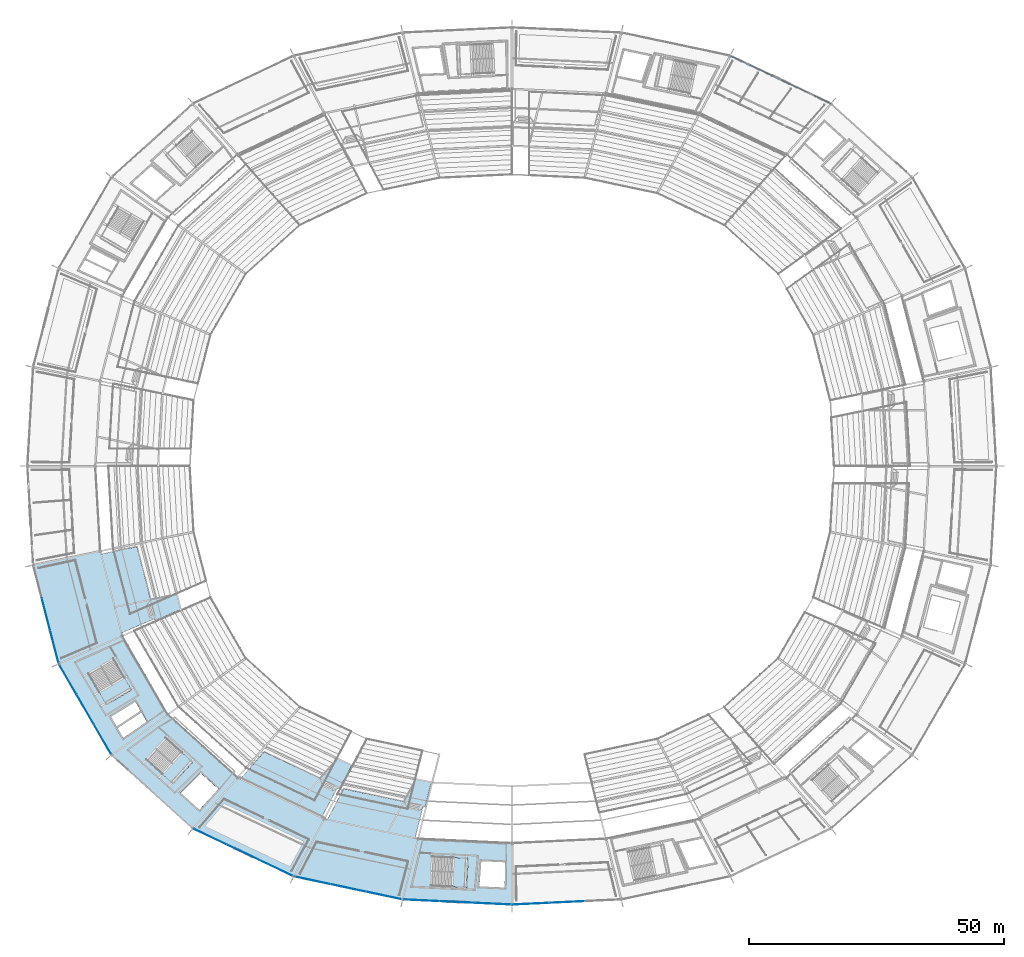
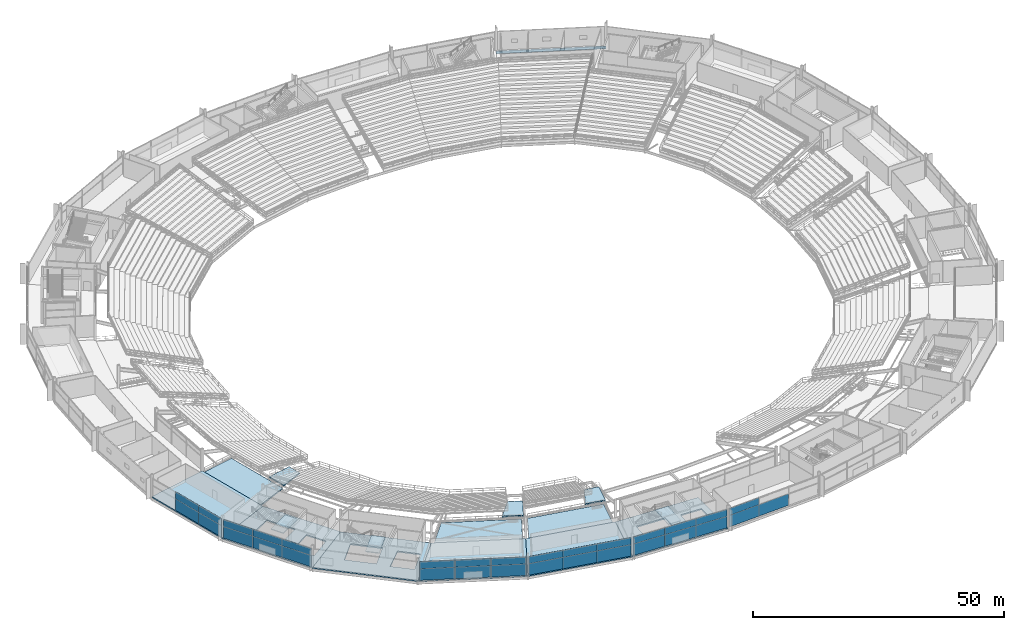
# One storey, part 120 of 186: 31 plates, 15 slabs, 1 beam, 9 elements without a shape of their own.
"""IFC4 building model written with IfcOpenShell, lengths in metres."""

from ifc_helpers import new_model, si_unit, direction, frame, origin, origin_2d, place, context, subcontext, project, spatial, polyline, rectangle, i_section, outline, extrude, material, layer, layer_set, material_profile, profile_set, type_object, element, aggregate, save


model = new_model("IFC4")

# Units and contexts
model_context = context("Model", 3, precision=1e-05, world=origin(), true_north=direction((0.0, 1.0)))
body_context = subcontext(model_context, "Body", "Model", "MODEL_VIEW")
ifc_project = project(units=[si_unit("LENGTHUNIT", "METRE"), si_unit("AREAUNIT", "SQUARE_METRE"), si_unit("VOLUMEUNIT", "CUBIC_METRE"), si_unit("PLANEANGLEUNIT", "RADIAN"), si_unit("MASSUNIT", "GRAM", prefix="KILO")], contexts=[model_context])

# Site, building, storey
site_placement = place(None, origin())
site = spatial("IfcSite", under=ifc_project, at=site_placement, CompositionType="ELEMENT")
building_placement = place(site_placement, origin())
building = spatial("IfcBuilding", under=site, at=building_placement, Name="Kazemori Nagisa Stadium", CompositionType="ELEMENT")
storey_placement = place(building_placement, frame((0.0, 0.0, 20.39990234375)))
storey = spatial("IfcBuildingStorey", under=building, at=storey_placement, Name="L04", CompositionType="ELEMENT", Elevation=20.39990234375)

# Beam
ifc_material_1 = material(Name="Steel SN490B", Category="steel")
ifc_material_profile = material_profile(ifc_material_1, i_section(OverallWidth=0.199951171875, OverallDepth=0.60009765625, WebThickness=0.010986328125, FlangeThickness=0.01708984375, FilletRadius=0.012939453125, at=origin_2d()), Name="H-600x200x11x17")
ifc_profile_set = profile_set([ifc_material_profile], Name="Steel SN490B")
beam_type = type_object("IfcBeamType", Name="Beam_BS-H600", PredefinedType="SPANDREL", material=ifc_profile_set)
beam_placement = place(storey_placement, frame((185.597900390625, 173.05908203125, -0.599853515625), z_axis=(-0.903215644095, 0.429187022475, 0.0), x_axis=(-0.429187022475, -0.903215644095, 0.0)))
element("IfcBeam", 1, at=beam_placement, inside=storey, type_object=beam_type, Name="Ring girder BS-H600 L04 R3-05", PredefinedType="SPANDREL", context=body_context, shape_type="SweptSolid", body=[
    extrude(i_section(OverallWidth=0.199951171875, OverallDepth=0.60009765625, WebThickness=0.010986328125, FlangeThickness=0.01708984375, FilletRadius=0.012939453125, at=origin_2d()), origin(), (0.0, 0.0, 1.0), 21.9140625),
])

# Curtain wall, plates
ifc_material_2 = material(Name="Anodised aluminium 6063-T5", Category="aluminium")
ifc_layer_1 = layer(ifc_material_2, 0.179931640625, Name="Anodised aluminium 6063-T5", Category="aluminium")
ifc_layer_set_1 = layer_set([ifc_layer_1], Name="Anodised aluminium 6063-T5")
curtain_wall_type_1 = type_object("IfcCurtainWallType", Name="CW_L04R3_101", PredefinedType="USERDEFINED", material=ifc_layer_set_1)
curtain_wall_1_placement = place(storey_placement, origin())
curtain_wall_1 = element("IfcCurtainWall", 2, at=curtain_wall_1_placement, inside=storey, type_object=curtain_wall_type_1, Name="Unitised curtain wall CW-L04R3-101 L04", ObjectType="UNITISED CURTAIN WALL", PredefinedType="USERDEFINED")
ifc_material_3 = material(Name="Anodised aluminium spandrel sheet", Category="aluminium")
ifc_layer_2 = layer(ifc_material_3, 0.0458984375, Name="Anodised aluminium spandrel sheet", Category="aluminium")
ifc_layer_set_2 = layer_set([ifc_layer_2], Name="Anodised aluminium spandrel sheet")
plate_type_1 = type_object("IfcPlateType", Name="CWPanel_SPN_L04R3_101", PredefinedType="CURTAIN_PANEL", material=ifc_layer_set_2)
plate_1_placement = place(storey_placement, frame((35.931884765625, 60.116943359375, 2.80859375), z_axis=(0.0, 0.0, 1.0), x_axis=(0.501611590054, -0.865092950337, 0.0)))
plate_1 = element("IfcPlate", 3, at=plate_1_placement, type_object=plate_type_1, Name="Curtain wall spandrel panel CW-L04R3-101-S1", PredefinedType="CURTAIN_PANEL", context=body_context, shape_type="SweptSolid", body=[
    extrude(rectangle(XDim=6.7099609375, YDim=0.0458984375, at=origin_2d()), origin(), (0.0, 0.0, 1.0), 1.721435546875),
])
plate_2_placement = place(storey_placement, frame((39.309814453125, 54.29150390625, 2.80859375), z_axis=(0.0, 0.0, 1.0), x_axis=(0.501611590054, -0.865092950337, 0.0)))
plate_2 = element("IfcPlate", 4, at=plate_2_placement, type_object=plate_type_1, Name="Curtain wall spandrel panel CW-L04R3-101-S2", PredefinedType="CURTAIN_PANEL", context=body_context, shape_type="SweptSolid", body=[
    extrude(rectangle(XDim=6.7099609375, YDim=0.0458984375, at=origin_2d()), origin(), (0.0, 0.0, 1.0), 1.721435546875),
])
plate_3_placement = place(storey_placement, frame((42.687744140625, 48.4658203125, 2.80859375), z_axis=(0.0, 0.0, 1.0), x_axis=(0.501611590054, -0.865092950337, 0.0)))
plate_3 = element("IfcPlate", 5, at=plate_3_placement, type_object=plate_type_1, Name="Curtain wall spandrel panel CW-L04R3-101-S3", PredefinedType="CURTAIN_PANEL", context=body_context, shape_type="SweptSolid", body=[
    extrude(rectangle(XDim=6.7099609375, YDim=0.0458984375, at=origin_2d()), origin(), (0.0, 0.0, 1.0), 1.721435546875),
])

ifc_layer_3 = layer(ifc_material_2, 0.179931640625, Name="Anodised aluminium 6063-T5", Category="aluminium")
ifc_layer_set_3 = layer_set([ifc_layer_3], Name="Anodised aluminium 6063-T5")
curtain_wall_type_2 = type_object("IfcCurtainWallType", Name="CW_L04R3_105", PredefinedType="USERDEFINED", material=ifc_layer_set_3)
curtain_wall_2_placement = place(storey_placement, origin())
curtain_wall_2 = element("IfcCurtainWall", 6, at=curtain_wall_2_placement, inside=storey, type_object=curtain_wall_type_2, Name="Unitised curtain wall CW-L04R3-105 L04", ObjectType="UNITISED CURTAIN WALL", PredefinedType="USERDEFINED")
ifc_layer_4 = layer(ifc_material_3, 0.0458984375, Name="Anodised aluminium spandrel sheet", Category="aluminium")
ifc_layer_set_4 = layer_set([ifc_layer_4], Name="Anodised aluminium spandrel sheet")
plate_type_2 = type_object("IfcPlateType", Name="CWPanel_SPN_L04R3_105", PredefinedType="CURTAIN_PANEL", material=ifc_layer_set_4)
plate_4_placement = place(storey_placement, frame((105.3134765625, 16.836181640625, 2.80859375), z_axis=(0.0, 0.0, 1.0), x_axis=(0.998884022476, -0.047230388971, 0.0)))
plate_4 = element("IfcPlate", 7, at=plate_4_placement, type_object=plate_type_2, Name="Curtain wall spandrel panel CW-L04R3-105-S1", PredefinedType="CURTAIN_PANEL", context=body_context, shape_type="SweptSolid", body=[
    extrude(rectangle(XDim=6.956787109375, YDim=0.0458984375, at=origin_2d()), origin(), (0.0, 0.0, 1.0), 1.721435546875),
])
plate_5_placement = place(storey_placement, frame((112.2861328125, 16.506591796875, 2.80859375), z_axis=(0.0, 0.0, 1.0), x_axis=(0.998884022476, -0.047230388971, 0.0)))
plate_5 = element("IfcPlate", 8, at=plate_5_placement, type_object=plate_type_2, Name="Curtain wall spandrel panel CW-L04R3-105-S2", PredefinedType="CURTAIN_PANEL", context=body_context, shape_type="SweptSolid", body=[
    extrude(rectangle(XDim=6.956787109375, YDim=0.0458984375, at=origin_2d()), origin(), (0.0, 0.0, 1.0), 1.721435546875),
])
plate_6_placement = place(storey_placement, frame((119.2587890625, 16.177001953125, 2.80859375), z_axis=(0.0, 0.0, 1.0), x_axis=(0.998884022476, -0.047230388971, 0.0)))
plate_6 = element("IfcPlate", 9, at=plate_6_placement, type_object=plate_type_2, Name="Curtain wall spandrel panel CW-L04R3-105-S3", PredefinedType="CURTAIN_PANEL", context=body_context, shape_type="SweptSolid", body=[
    extrude(rectangle(XDim=6.956787109375, YDim=0.0458984375, at=origin_2d()), origin(), (0.0, 0.0, 1.0), 1.721435546875),
])

# Curtain wall, plate
curtain_wall_3_placement = place(storey_placement, origin())
curtain_wall_3 = element("IfcCurtainWall", 10, at=curtain_wall_3_placement, inside=storey, type_object=curtain_wall_type_2, Name="Unitised curtain wall CW-L04R3-105 L04", ObjectType="UNITISED CURTAIN WALL", PredefinedType="USERDEFINED")
plate_7_placement = place(storey_placement, frame((126.7412109375, 16.177001953125, 2.80859375), z_axis=(0.0, 0.0, 1.0), x_axis=(0.998884022476, 0.047230388971, 0.0)))
plate_7 = element("IfcPlate", 11, at=plate_7_placement, type_object=plate_type_2, Name="Curtain wall spandrel panel CW-L04R3-105-S1", PredefinedType="CURTAIN_PANEL", context=body_context, shape_type="SweptSolid", body=[
    extrude(rectangle(XDim=6.956787109375, YDim=0.0458984375, at=origin_2d()), origin(), (0.0, 0.0, 1.0), 1.721435546875),
])

# Curtain wall, plates
ifc_layer_5 = layer(ifc_material_2, 0.179931640625, Name="Anodised aluminium 6063-T5", Category="aluminium")
ifc_layer_set_5 = layer_set([ifc_layer_5], Name="Anodised aluminium 6063-T5")
curtain_wall_type_3 = type_object("IfcCurtainWallType", Name="CW_L04R3_107", PredefinedType="USERDEFINED", material=ifc_layer_set_5)
curtain_wall_4_placement = place(storey_placement, origin())
curtain_wall_4 = element("IfcCurtainWall", 12, at=curtain_wall_4_placement, inside=storey, type_object=curtain_wall_type_3, Name="Unitised curtain wall CW-L04R3-107 L04", ObjectType="UNITISED CURTAIN WALL", PredefinedType="USERDEFINED")
ifc_layer_6 = layer(ifc_material_3, 0.0458984375, Name="Anodised aluminium spandrel sheet", Category="aluminium")
ifc_layer_set_6 = layer_set([ifc_layer_6], Name="Anodised aluminium spandrel sheet")
plate_type_3 = type_object("IfcPlateType", Name="CWPanel_SPN_L04R3_107", PredefinedType="CURTAIN_PANEL", material=ifc_layer_set_6)
plate_8_placement = place(storey_placement, frame((63.8544921875, 29.300537109375, 2.80859375), z_axis=(0.0, 0.0, 1.0), x_axis=(0.903215892654, -0.429186499388, 0.0)))
plate_8 = element("IfcPlate", 13, at=plate_8_placement, type_object=plate_type_3, Name="Curtain wall spandrel panel CW-L04R3-107-S1", PredefinedType="CURTAIN_PANEL", context=body_context, shape_type="SweptSolid", body=[
    extrude(rectangle(XDim=7.110595703125, YDim=0.0458984375, at=origin_2d()), origin(), (0.0, 0.0, 1.0), 1.721435546875),
])
plate_9_placement = place(storey_placement, frame((70.298583984375, 26.23828125, 2.80859375), z_axis=(0.0, 0.0, 1.0), x_axis=(0.903215892654, -0.429186499388, 0.0)))
plate_9 = element("IfcPlate", 14, at=plate_9_placement, type_object=plate_type_3, Name="Curtain wall spandrel panel CW-L04R3-107-S2", PredefinedType="CURTAIN_PANEL", context=body_context, shape_type="SweptSolid", body=[
    extrude(rectangle(XDim=7.110595703125, YDim=0.0458984375, at=origin_2d()), origin(), (0.0, 0.0, 1.0), 1.721435546875),
])
plate_10_placement = place(storey_placement, frame((76.742919921875, 23.17626953125, 2.80859375), z_axis=(0.0, 0.0, 1.0), x_axis=(0.903215892654, -0.429186499388, 0.0)))
plate_10 = element("IfcPlate", 15, at=plate_10_placement, type_object=plate_type_3, Name="Curtain wall spandrel panel CW-L04R3-107-S3", PredefinedType="CURTAIN_PANEL", context=body_context, shape_type="SweptSolid", body=[
    extrude(rectangle(XDim=7.110595703125, YDim=0.0458984375, at=origin_2d()), origin(), (0.0, 0.0, 1.0), 1.721435546875),
])

curtain_wall_5_placement = place(storey_placement, origin())
curtain_wall_5 = element("IfcCurtainWall", 16, at=curtain_wall_5_placement, inside=storey, type_object=curtain_wall_type_3, Name="Unitised curtain wall CW-L04R3-107 L04", ObjectType="UNITISED CURTAIN WALL", PredefinedType="USERDEFINED")
plate_11_placement = place(storey_placement, frame((83.92431640625, 20.746826171875, 2.80859375), z_axis=(0.0, 0.0, 1.0), x_axis=(0.978344955407, -0.206981033502, 0.0)))
plate_11 = element("IfcPlate", 17, at=plate_11_placement, type_object=plate_type_3, Name="Curtain wall spandrel panel CW-L04R3-107-S1", PredefinedType="CURTAIN_PANEL", context=body_context, shape_type="SweptSolid", body=[
    extrude(rectangle(XDim=7.08935546875, YDim=0.0458984375, at=origin_2d()), origin(), (0.0, 0.0, 1.0), 1.721435546875),
])
plate_12_placement = place(storey_placement, frame((90.8837890625, 19.2744140625, 2.80859375), z_axis=(0.0, 0.0, 1.0), x_axis=(0.978344955407, -0.206981033502, 0.0)))
plate_12 = element("IfcPlate", 18, at=plate_12_placement, type_object=plate_type_3, Name="Curtain wall spandrel panel CW-L04R3-107-S2", PredefinedType="CURTAIN_PANEL", context=body_context, shape_type="SweptSolid", body=[
    extrude(rectangle(XDim=7.08935546875, YDim=0.0458984375, at=origin_2d()), origin(), (0.0, 0.0, 1.0), 1.721435546875),
])
plate_13_placement = place(storey_placement, frame((97.84326171875, 17.802001953125, 2.80859375), z_axis=(0.0, 0.0, 1.0), x_axis=(0.978344955407, -0.206981033502, 0.0)))
plate_13 = element("IfcPlate", 19, at=plate_13_placement, type_object=plate_type_3, Name="Curtain wall spandrel panel CW-L04R3-107-S3", PredefinedType="CURTAIN_PANEL", context=body_context, shape_type="SweptSolid", body=[
    extrude(rectangle(XDim=7.08935546875, YDim=0.0458984375, at=origin_2d()), origin(), (0.0, 0.0, 1.0), 1.721435546875),
])

ifc_layer_7 = layer(ifc_material_2, 0.179931640625, Name="Anodised aluminium 6063-T5", Category="aluminium")
ifc_layer_set_7 = layer_set([ifc_layer_7], Name="Anodised aluminium 6063-T5")
curtain_wall_type_4 = type_object("IfcCurtainWallType", Name="CW_L04R3_98", PredefinedType="USERDEFINED", material=ifc_layer_set_7)
curtain_wall_6_placement = place(storey_placement, origin())
curtain_wall_6 = element("IfcCurtainWall", 20, at=curtain_wall_6_placement, inside=storey, type_object=curtain_wall_type_4, Name="Unitised curtain wall CW-L04R3-98 L04", ObjectType="UNITISED CURTAIN WALL", PredefinedType="USERDEFINED")
ifc_layer_8 = layer(ifc_material_3, 0.0458984375, Name="Anodised aluminium spandrel sheet", Category="aluminium")
ifc_layer_set_8 = layer_set([ifc_layer_8], Name="Anodised aluminium spandrel sheet")
plate_type_4 = type_object("IfcPlateType", Name="CWPanel_SPN_L04R3_98", PredefinedType="CURTAIN_PANEL", material=ifc_layer_set_8)
plate_14_placement = place(storey_placement, frame((31.6171875, 72.92626953125, 2.80859375), z_axis=(0.0, 0.0, 1.0), x_axis=(0.249964642418, -0.968254965152, 0.0)))
plate_14 = element("IfcPlate", 21, at=plate_14_placement, type_object=plate_type_4, Name="Curtain wall spandrel panel CW-L04R3-98-S2", PredefinedType="CURTAIN_PANEL", context=body_context, shape_type="SweptSolid", body=[
    extrude(rectangle(XDim=6.468017578125, YDim=0.0458984375, at=origin_2d()), origin(), (0.0, 0.0, 1.0), 1.721435546875),
])
plate_15_placement = place(storey_placement, frame((33.239990234375, 66.640380859375, 2.80859375), z_axis=(0.0, 0.0, 1.0), x_axis=(0.249964642418, -0.968254965152, 0.0)))
plate_15 = element("IfcPlate", 22, at=plate_15_placement, type_object=plate_type_4, Name="Curtain wall spandrel panel CW-L04R3-98-S3", PredefinedType="CURTAIN_PANEL", context=body_context, shape_type="SweptSolid", body=[
    extrude(rectangle(XDim=6.468017578125, YDim=0.0458984375, at=origin_2d()), origin(), (0.0, 0.0, 1.0), 1.721435546875),
])

# Plate
ifc_material_4 = material(Name="Low-e laminated double glazing", Category="glass")
ifc_layer_9 = layer(ifc_material_4, 0.029052734375, Name="Low-e laminated double glazing", Category="glass")
ifc_layer_set_9 = layer_set([ifc_layer_9], Name="Low-e laminated double glazing")
plate_type_5 = type_object("IfcPlateType", Name="CWPanel_VIS_L04R3_101", PredefinedType="CURTAIN_PANEL", material=ifc_layer_set_9)
plate_16_placement = place(storey_placement, frame((35.931884765625, 60.116943359375, 0.0), z_axis=(0.0, 0.0, 1.0), x_axis=(0.501611590054, -0.865092950337, 0.0)))
plate_16 = element("IfcPlate", 23, at=plate_16_placement, type_object=plate_type_5, Name="Curtain wall vision panel CW-L04R3-101-V1", PredefinedType="CURTAIN_PANEL", context=body_context, shape_type="SweptSolid", body=[
    extrude(rectangle(XDim=6.7099609375, YDim=0.029052734375, at=origin_2d()), origin(), (0.0, 0.0, 1.0), 2.80859375),
])

plate_17_placement = place(storey_placement, frame((39.309814453125, 54.29150390625, 0.0), z_axis=(0.0, 0.0, 1.0), x_axis=(0.501611590054, -0.865092950337, 0.0)))
plate_17 = element("IfcPlate", 24, at=plate_17_placement, type_object=plate_type_5, Name="Curtain wall vision panel CW-L04R3-101-V2", PredefinedType="CURTAIN_PANEL", context=body_context, shape_type="SweptSolid", body=[
    extrude(rectangle(XDim=6.7099609375, YDim=0.029052734375, at=origin_2d()), origin(), (0.0, 0.0, 1.0), 2.80859375),
])

plate_18_placement = place(storey_placement, frame((42.687744140625, 48.4658203125, 0.0), z_axis=(0.0, 0.0, 1.0), x_axis=(0.501611590054, -0.865092950337, 0.0)))
plate_18 = element("IfcPlate", 25, at=plate_18_placement, type_object=plate_type_5, Name="Curtain wall vision panel CW-L04R3-101-V3", PredefinedType="CURTAIN_PANEL", context=body_context, shape_type="SweptSolid", body=[
    extrude(rectangle(XDim=6.7099609375, YDim=0.029052734375, at=origin_2d()), origin(), (0.0, 0.0, 1.0), 2.80859375),
])

aggregate(curtain_wall_1, [plate_16, plate_1, plate_17, plate_2, plate_18, plate_3])

ifc_layer_10 = layer(ifc_material_4, 0.029052734375, Name="Low-e laminated double glazing", Category="glass")
ifc_layer_set_10 = layer_set([ifc_layer_10], Name="Low-e laminated double glazing")
plate_type_6 = type_object("IfcPlateType", Name="CWPanel_VIS_L04R3_105", PredefinedType="CURTAIN_PANEL", material=ifc_layer_set_10)
plate_19_placement = place(storey_placement, frame((105.3134765625, 16.836181640625, 0.0), z_axis=(0.0, 0.0, 1.0), x_axis=(0.998884022476, -0.047230388971, 0.0)))
plate_19 = element("IfcPlate", 26, at=plate_19_placement, type_object=plate_type_6, Name="Curtain wall vision panel CW-L04R3-105-V1", PredefinedType="CURTAIN_PANEL", context=body_context, shape_type="SweptSolid", body=[
    extrude(rectangle(XDim=6.956787109375, YDim=0.029052734375, at=origin_2d()), origin(), (0.0, 0.0, 1.0), 2.80859375),
])

plate_20_placement = place(storey_placement, frame((112.2861328125, 16.506591796875, 0.0), z_axis=(0.0, 0.0, 1.0), x_axis=(0.998884022476, -0.047230388971, 0.0)))
plate_20 = element("IfcPlate", 27, at=plate_20_placement, type_object=plate_type_6, Name="Curtain wall vision panel CW-L04R3-105-V2", PredefinedType="CURTAIN_PANEL", context=body_context, shape_type="SweptSolid", body=[
    extrude(rectangle(XDim=6.956787109375, YDim=0.029052734375, at=origin_2d()), origin(), (0.0, 0.0, 1.0), 2.80859375),
])

plate_21_placement = place(storey_placement, frame((119.2587890625, 16.177001953125, 0.0), z_axis=(0.0, 0.0, 1.0), x_axis=(0.998884022476, -0.047230388971, 0.0)))
plate_21 = element("IfcPlate", 28, at=plate_21_placement, type_object=plate_type_6, Name="Curtain wall vision panel CW-L04R3-105-V3", PredefinedType="CURTAIN_PANEL", context=body_context, shape_type="SweptSolid", body=[
    extrude(rectangle(XDim=6.956787109375, YDim=0.029052734375, at=origin_2d()), origin(), (0.0, 0.0, 1.0), 2.80859375),
])

aggregate(curtain_wall_2, [plate_19, plate_4, plate_20, plate_5, plate_21, plate_6])

plate_22_placement = place(storey_placement, frame((126.7412109375, 16.177001953125, 0.0), z_axis=(0.0, 0.0, 1.0), x_axis=(0.998884022476, 0.047230388971, 0.0)))
plate_22 = element("IfcPlate", 29, at=plate_22_placement, type_object=plate_type_6, Name="Curtain wall vision panel CW-L04R3-105-V1", PredefinedType="CURTAIN_PANEL", context=body_context, shape_type="SweptSolid", body=[
    extrude(rectangle(XDim=6.956787109375, YDim=0.029052734375, at=origin_2d()), origin(), (0.0, 0.0, 1.0), 2.80859375),
])

plate_23_placement = place(storey_placement, frame((133.7138671875, 16.506591796875, 0.0), z_axis=(0.0, 0.0, 1.0), x_axis=(0.998884022476, 0.047230388971, 0.0)))
plate_23 = element("IfcPlate", 30, at=plate_23_placement, type_object=plate_type_6, Name="Curtain wall vision panel CW-L04R3-105-V2", PredefinedType="CURTAIN_PANEL", context=body_context, shape_type="SweptSolid", body=[
    extrude(rectangle(XDim=6.956787109375, YDim=0.029052734375, at=origin_2d()), origin(), (0.0, 0.0, 1.0), 2.80859375),
])

aggregate(curtain_wall_3, [plate_22, plate_7, plate_23])

ifc_layer_11 = layer(ifc_material_4, 0.029052734375, Name="Low-e laminated double glazing", Category="glass")
ifc_layer_set_11 = layer_set([ifc_layer_11], Name="Low-e laminated double glazing")
plate_type_7 = type_object("IfcPlateType", Name="CWPanel_VIS_L04R3_107", PredefinedType="CURTAIN_PANEL", material=ifc_layer_set_11)
plate_24_placement = place(storey_placement, frame((63.8544921875, 29.300537109375, 0.0), z_axis=(0.0, 0.0, 1.0), x_axis=(0.903215892654, -0.429186499388, 0.0)))
plate_24 = element("IfcPlate", 31, at=plate_24_placement, type_object=plate_type_7, Name="Curtain wall vision panel CW-L04R3-107-V1", PredefinedType="CURTAIN_PANEL", context=body_context, shape_type="SweptSolid", body=[
    extrude(rectangle(XDim=7.110595703125, YDim=0.029052734375, at=origin_2d()), origin(), (0.0, 0.0, 1.0), 2.80859375),
])

plate_25_placement = place(storey_placement, frame((70.298583984375, 26.23828125, 0.0), z_axis=(0.0, 0.0, 1.0), x_axis=(0.903215892654, -0.429186499388, 0.0)))
plate_25 = element("IfcPlate", 32, at=plate_25_placement, type_object=plate_type_7, Name="Curtain wall vision panel CW-L04R3-107-V2", PredefinedType="CURTAIN_PANEL", context=body_context, shape_type="SweptSolid", body=[
    extrude(rectangle(XDim=7.110595703125, YDim=0.029052734375, at=origin_2d()), origin(), (0.0, 0.0, 1.0), 2.80859375),
])

plate_26_placement = place(storey_placement, frame((76.742919921875, 23.17626953125, 0.0), z_axis=(0.0, 0.0, 1.0), x_axis=(0.903215892654, -0.429186499388, 0.0)))
plate_26 = element("IfcPlate", 33, at=plate_26_placement, type_object=plate_type_7, Name="Curtain wall vision panel CW-L04R3-107-V3", PredefinedType="CURTAIN_PANEL", context=body_context, shape_type="SweptSolid", body=[
    extrude(rectangle(XDim=7.110595703125, YDim=0.029052734375, at=origin_2d()), origin(), (0.0, 0.0, 1.0), 2.80859375),
])

aggregate(curtain_wall_4, [plate_24, plate_8, plate_25, plate_9, plate_26, plate_10])

plate_27_placement = place(storey_placement, frame((83.92431640625, 20.746826171875, 0.0), z_axis=(0.0, 0.0, 1.0), x_axis=(0.978344955407, -0.206981033502, 0.0)))
plate_27 = element("IfcPlate", 34, at=plate_27_placement, type_object=plate_type_7, Name="Curtain wall vision panel CW-L04R3-107-V1", PredefinedType="CURTAIN_PANEL", context=body_context, shape_type="SweptSolid", body=[
    extrude(rectangle(XDim=7.08935546875, YDim=0.029052734375, at=origin_2d()), origin(), (0.0, 0.0, 1.0), 2.80859375),
])

plate_28_placement = place(storey_placement, frame((90.8837890625, 19.2744140625, 0.0), z_axis=(0.0, 0.0, 1.0), x_axis=(0.978344955407, -0.206981033502, 0.0)))
plate_28 = element("IfcPlate", 35, at=plate_28_placement, type_object=plate_type_7, Name="Curtain wall vision panel CW-L04R3-107-V2", PredefinedType="CURTAIN_PANEL", context=body_context, shape_type="SweptSolid", body=[
    extrude(rectangle(XDim=7.08935546875, YDim=0.029052734375, at=origin_2d()), origin(), (0.0, 0.0, 1.0), 2.80859375),
])

plate_29_placement = place(storey_placement, frame((97.84326171875, 17.802001953125, 0.0), z_axis=(0.0, 0.0, 1.0), x_axis=(0.978344955407, -0.206981033502, 0.0)))
plate_29 = element("IfcPlate", 36, at=plate_29_placement, type_object=plate_type_7, Name="Curtain wall vision panel CW-L04R3-107-V3", PredefinedType="CURTAIN_PANEL", context=body_context, shape_type="SweptSolid", body=[
    extrude(rectangle(XDim=7.08935546875, YDim=0.029052734375, at=origin_2d()), origin(), (0.0, 0.0, 1.0), 2.80859375),
])

aggregate(curtain_wall_5, [plate_27, plate_11, plate_28, plate_12, plate_29, plate_13])

ifc_layer_12 = layer(ifc_material_4, 0.029052734375, Name="Low-e laminated double glazing", Category="glass")
ifc_layer_set_12 = layer_set([ifc_layer_12], Name="Low-e laminated double glazing")
plate_type_8 = type_object("IfcPlateType", Name="CWPanel_VIS_L04R3_98", PredefinedType="CURTAIN_PANEL", material=ifc_layer_set_12)
plate_30_placement = place(storey_placement, frame((31.6171875, 72.92626953125, 0.0), z_axis=(0.0, 0.0, 1.0), x_axis=(0.249964642418, -0.968254965152, 0.0)))
plate_30 = element("IfcPlate", 37, at=plate_30_placement, type_object=plate_type_8, Name="Curtain wall vision panel CW-L04R3-98-V2", PredefinedType="CURTAIN_PANEL", context=body_context, shape_type="SweptSolid", body=[
    extrude(rectangle(XDim=6.468017578125, YDim=0.029052734375, at=origin_2d()), origin(), (0.0, 0.0, 1.0), 2.80859375),
])

plate_31_placement = place(storey_placement, frame((33.239990234375, 66.640380859375, 0.0), z_axis=(0.0, 0.0, 1.0), x_axis=(0.249964642418, -0.968254965152, 0.0)))
plate_31 = element("IfcPlate", 38, at=plate_31_placement, type_object=plate_type_8, Name="Curtain wall vision panel CW-L04R3-98-V3", PredefinedType="CURTAIN_PANEL", context=body_context, shape_type="SweptSolid", body=[
    extrude(rectangle(XDim=6.468017578125, YDim=0.029052734375, at=origin_2d()), origin(), (0.0, 0.0, 1.0), 2.80859375),
])

aggregate(curtain_wall_6, [plate_30, plate_14, plate_31, plate_15])

# Slabs
ifc_material_5 = material(Name="Concrete C36/45 (Fc36)", Category="concrete")
ifc_layer_13 = layer(ifc_material_5, 0.280029296875, Name="Concrete C36/45 (Fc36)", Category="concrete")
ifc_layer_set_13 = layer_set([ifc_layer_13], Name="Concrete C36/45 (Fc36)")
slab_type_1 = type_object("IfcSlabType", Name="Slab_SL-CONC-280", PredefinedType="FLOOR", material=ifc_layer_set_13)
slab_1_placement = place(storey_placement, frame((0.0, 0.0, 0.60009765625)))
element("IfcSlab", 39, at=slab_1_placement, inside=storey, type_object=slab_type_1, Name="Vomitory portal upper bay 16", PredefinedType="FLOOR", context=body_context, shape_type="SweptSolid", body=[
    extrude(outline(polyline([(57.301513671875, 76.859619140625), (58.06396484375, 73.906494140625), (53.17529296875, 71.775146484375), (52.13818359375, 75.792724609375), (57.301513671875, 76.859619140625)])), origin(), (0.0, 0.0, 1.0), 0.280029296875),
])
slab_2_placement = place(storey_placement, frame((0.0, 0.0, 0.60009765625)))
element("IfcSlab", 40, at=slab_2_placement, inside=storey, type_object=slab_type_1, Name="Vomitory portal upper bay 19", PredefinedType="FLOOR", context=body_context, shape_type="SweptSolid", body=[
    extrude(outline(polyline([(88.817138671875, 44.656005859375), (91.572021484375, 43.346923828125), (89.217529296875, 38.92138671875), (85.374267578125, 40.747802734375), (88.817138671875, 44.656005859375)])), origin(), (0.0, 0.0, 1.0), 0.280029296875),
])
slab_3_placement = place(storey_placement, frame((0.0, 0.0, 0.60009765625)))
element("IfcSlab", 41, at=slab_3_placement, inside=storey, type_object=slab_type_1, Name="Vomitory portal upper bay 20", PredefinedType="FLOOR", context=body_context, shape_type="SweptSolid", body=[
    extrude(outline(polyline([(104.17822265625, 40.63232421875), (107.162109375, 40.0009765625), (105.983642578125, 35.32666015625), (101.823974609375, 36.206787109375), (104.17822265625, 40.63232421875)])), origin(), (0.0, 0.0, 1.0), 0.280029296875),
])

# Stair, slab
stair_type = type_object("IfcStairType", Name="Stair_CORE_32", PredefinedType="TWO_STRAIGHT_RUN_STAIR", material=ifc_material_5)
stair_1_placement = place(storey_placement, origin())
stair_1 = element("IfcStair", 42, at=stair_1_placement, inside=storey, type_object=stair_type, Name="Exit stair ST09 L04", PredefinedType="TWO_STRAIGHT_RUN_STAIR")
ifc_layer_14 = layer(ifc_material_5, 0.199951171875, Name="Concrete C36/45 (Fc36)", Category="concrete")
ifc_layer_set_14 = layer_set([ifc_layer_14], Name="Concrete C36/45 (Fc36)")
slab_type_2 = type_object("IfcSlabType", Name="Slab_SL-LND-200", PredefinedType="LANDING", material=ifc_layer_set_14)
slab_4_placement = place(storey_placement, frame((0.0, 0.0, 2.52001953125)))
slab_4 = element("IfcSlab", 43, at=slab_4_placement, type_object=slab_type_2, Name="Exit stair ST09 L04 mid-landing", PredefinedType="LANDING", context=body_context, shape_type="SweptSolid", body=[
    extrude(outline(polyline([(46.988037109375, 60.523681640625), (48.41748046875, 58.05810546875), (43.486572265625, 55.198974609375), (42.056884765625, 57.66455078125), (46.988037109375, 60.523681640625)])), origin(), (0.0, 0.0, 1.0), 0.2001953125),
])
aggregate(stair_1, [slab_4])

stair_2_placement = place(storey_placement, origin())
stair_2 = element("IfcStair", 44, at=stair_2_placement, inside=storey, type_object=stair_type, Name="Exit stair ST03 L04", PredefinedType="TWO_STRAIGHT_RUN_STAIR")
slab_5_placement = place(storey_placement, frame((0.0, 0.0, 2.52001953125)))
slab_5 = element("IfcSlab", 45, at=slab_5_placement, type_object=slab_type_2, Name="Exit stair ST03 L04 mid-landing", PredefinedType="LANDING", context=body_context, shape_type="SweptSolid", body=[
    extrude(outline(polyline([(58.270751953125, 45.81689453125), (60.383544921875, 43.904052734375), (56.55810546875, 39.678466796875), (54.4453125, 41.591064453125), (58.270751953125, 45.81689453125)])), origin(), (0.0, 0.0, 1.0), 0.2001953125),
])
aggregate(stair_2, [slab_5])

stair_3_placement = place(storey_placement, origin())
stair_3 = element("IfcStair", 46, at=stair_3_placement, inside=storey, type_object=stair_type, Name="Exit stair ST12 L04", PredefinedType="TWO_STRAIGHT_RUN_STAIR")
slab_6_placement = place(storey_placement, frame((0.0, 0.0, 2.52001953125)))
slab_6 = element("IfcSlab", 47, at=slab_6_placement, type_object=slab_type_2, Name="Exit stair ST12 L04 mid-landing", PredefinedType="LANDING", context=body_context, shape_type="SweptSolid", body=[
    extrude(outline(polyline([(111.56494140625, 25.234375), (114.411865234375, 25.099853515625), (114.142578125, 19.40625), (111.2958984375, 19.540771484375), (111.56494140625, 25.234375)])), origin(), (0.0, 0.0, 1.0), 0.2001953125),
])
aggregate(stair_3, [slab_6])

# Slabs
ifc_layer_15 = layer(ifc_material_5, 0.300048828125, Name="Concrete C36/45 (Fc36)", Category="concrete")
ifc_layer_set_15 = layer_set([ifc_layer_15], Name="Concrete C36/45 (Fc36)")
slab_type_3 = type_object("IfcSlabType", Name="Slab_SL-UPPER-300", PredefinedType="FLOOR", material=ifc_layer_set_15)
slab_7_placement = place(storey_placement, frame((0.0, 0.0, -0.2998046875)))
element("IfcSlab", 48, at=slab_7_placement, inside=storey, type_object=slab_type_3, Name="Concourse floor slab L04 bay 16", PredefinedType="FLOOR", context=body_context, shape_type="SweptSolid", body=[
    extrude(outline(polyline([(42.262451171875, 85.31787109375), (46.55908203125, 68.67529296875), (34.114990234375, 63.25048828125), (29.119140625, 82.602294921875), (42.262451171875, 85.31787109375)])), origin(), (0.0, 0.0, 1.0), 0.2998046875),
])
slab_8_placement = place(storey_placement, frame((0.0, 0.0, -0.2998046875)))
element("IfcSlab", 49, at=slab_8_placement, inside=storey, type_object=slab_type_3, Name="Upper vomitory concourse slab L04 bay 16", PredefinedType="FLOOR", context=body_context, shape_type="SweptSolid", body=[
    extrude(outline(polyline([(49.45361328125, 86.19189453125), (53.075439453125, 72.16259765625), (46.408935546875, 69.25634765625), (42.41259765625, 84.737060546875), (49.45361328125, 86.19189453125)])), origin(), (0.0, 0.0, 1.0), 0.2998046875),
])
slab_9_placement = place(storey_placement, frame((0.0, 0.0, -0.2998046875)))
element("IfcSlab", 50, at=slab_9_placement, inside=storey, type_object=slab_type_3, Name="Concourse floor slab L04 bay 17", PredefinedType="FLOOR", context=body_context, shape_type="SweptSolid", body=[
    extrude(outline(polyline([(46.55908203125, 68.67529296875), (55.493896484375, 53.265869140625), (44.504638671875, 45.332275390625), (34.114990234375, 63.25048828125), (46.55908203125, 68.67529296875)]), holes=[polyline([(44.858642578125, 64.196044921875), (48.131591796875, 58.55126953125), (43.20068359375, 55.692138671875), (39.927490234375, 61.336669921875), (44.858642578125, 64.196044921875)]), polyline([(49.128662109375, 55.793701171875), (51.3828125, 51.90625), (46.787841796875, 48.6923828125), (44.38916015625, 52.829345703125), (49.128662109375, 55.793701171875)])]), origin(), (0.0, 0.0, 1.0), 0.2998046875),
])
slab_10_placement = place(storey_placement, frame((0.0, 0.0, -0.2998046875)))
element("IfcSlab", 51, at=slab_10_placement, inside=storey, type_object=slab_type_3, Name="Concourse floor slab L04 bay 18", PredefinedType="FLOOR", context=body_context, shape_type="SweptSolid", body=[
    extrude(outline(polyline([(55.493896484375, 53.265869140625), (69.165771484375, 40.88916015625), (60.402099609375, 30.94091796875), (44.504638671875, 45.332275390625), (55.493896484375, 53.265869140625)]), holes=[polyline([(55.12353515625, 48.665771484375), (59.9609375, 44.28662109375), (56.135498046875, 40.06103515625), (51.29833984375, 44.43994140625), (55.12353515625, 48.665771484375)]), polyline([(61.956298828125, 41.795654296875), (65.405517578125, 38.67333984375), (61.710205078125, 34.6103515625), (58.039794921875, 37.93310546875), (61.956298828125, 41.795654296875)])]), origin(), (0.0, 0.0, 1.0), 0.2998046875),
])
slab_11_placement = place(storey_placement, frame((0.0, 0.0, -0.2998046875)))
element("IfcSlab", 52, at=slab_11_placement, inside=storey, type_object=slab_type_3, Name="Concourse floor slab L04 bay 19", PredefinedType="FLOOR", context=body_context, shape_type="SweptSolid", body=[
    extrude(outline(polyline([(69.165771484375, 40.88916015625), (86.18798828125, 32.80078125), (80.1953125, 21.53564453125), (60.402099609375, 30.94091796875), (69.165771484375, 40.88916015625)])), origin(), (0.0, 0.0, 1.0), 0.2998046875),
])
slab_12_placement = place(storey_placement, frame((0.0, 0.0, -0.2998046875)))
element("IfcSlab", 53, at=slab_12_placement, inside=storey, type_object=slab_type_3, Name="Upper vomitory concourse slab L04 bay 19", PredefinedType="FLOOR", context=body_context, shape_type="SweptSolid", body=[
    extrude(outline(polyline([(74.402587890625, 45.961181640625), (88.8564453125, 39.093017578125), (85.64599609375, 33.058349609375), (69.707763671875, 40.6318359375), (74.402587890625, 45.961181640625)])), origin(), (0.0, 0.0, 1.0), 0.2998046875),
])
slab_13_placement = place(storey_placement, frame((0.0, 0.0, -0.2998046875)))
element("IfcSlab", 54, at=slab_13_placement, inside=storey, type_object=slab_type_3, Name="Concourse floor slab L04 bay 20", PredefinedType="FLOOR", context=body_context, shape_type="SweptSolid", body=[
    extrude(outline(polyline([(86.18798828125, 32.80078125), (104.572265625, 28.911376953125), (101.572265625, 17.01318359375), (80.1953125, 21.53564453125), (86.18798828125, 32.80078125)])), origin(), (0.0, 0.0, 1.0), 0.2998046875),
])
slab_14_placement = place(storey_placement, frame((0.0, 0.0, -0.2998046875)))
element("IfcSlab", 55, at=slab_14_placement, inside=storey, type_object=slab_type_3, Name="Upper vomitory concourse slab L04 bay 20", PredefinedType="FLOOR", context=body_context, shape_type="SweptSolid", body=[
    extrude(outline(polyline([(89.9853515625, 38.71142578125), (105.59228515625, 35.409423828125), (103.985107421875, 29.035400390625), (86.77490234375, 32.676513671875), (89.9853515625, 38.71142578125)])), origin(), (0.0, 0.0, 1.0), 0.2998046875),
])
slab_15_placement = place(storey_placement, frame((0.0, 0.0, -0.2998046875)))
element("IfcSlab", 56, at=slab_15_placement, inside=storey, type_object=slab_type_3, Name="Concourse floor slab L04 bay 21", PredefinedType="FLOOR", context=body_context, shape_type="SweptSolid", body=[
    extrude(outline(polyline([(104.572265625, 28.911376953125), (123.0, 28.0400390625), (123.0, 16.0), (101.572265625, 17.01318359375), (104.572265625, 28.911376953125)]), holes=[polyline([(107.32470703125, 25.434814453125), (113.842529296875, 25.126708984375), (113.5732421875, 19.43310546875), (107.0556640625, 19.7412109375), (107.32470703125, 25.434814453125)]), polyline([(116.9951171875, 24.5400390625), (121.64404296875, 24.320068359375), (121.55712890625, 19.336181640625), (116.60986328125, 19.570068359375), (116.9951171875, 24.5400390625)])]), origin(), (0.0, 0.0, 1.0), 0.2998046875),
])

save(model, "model.ifc")
